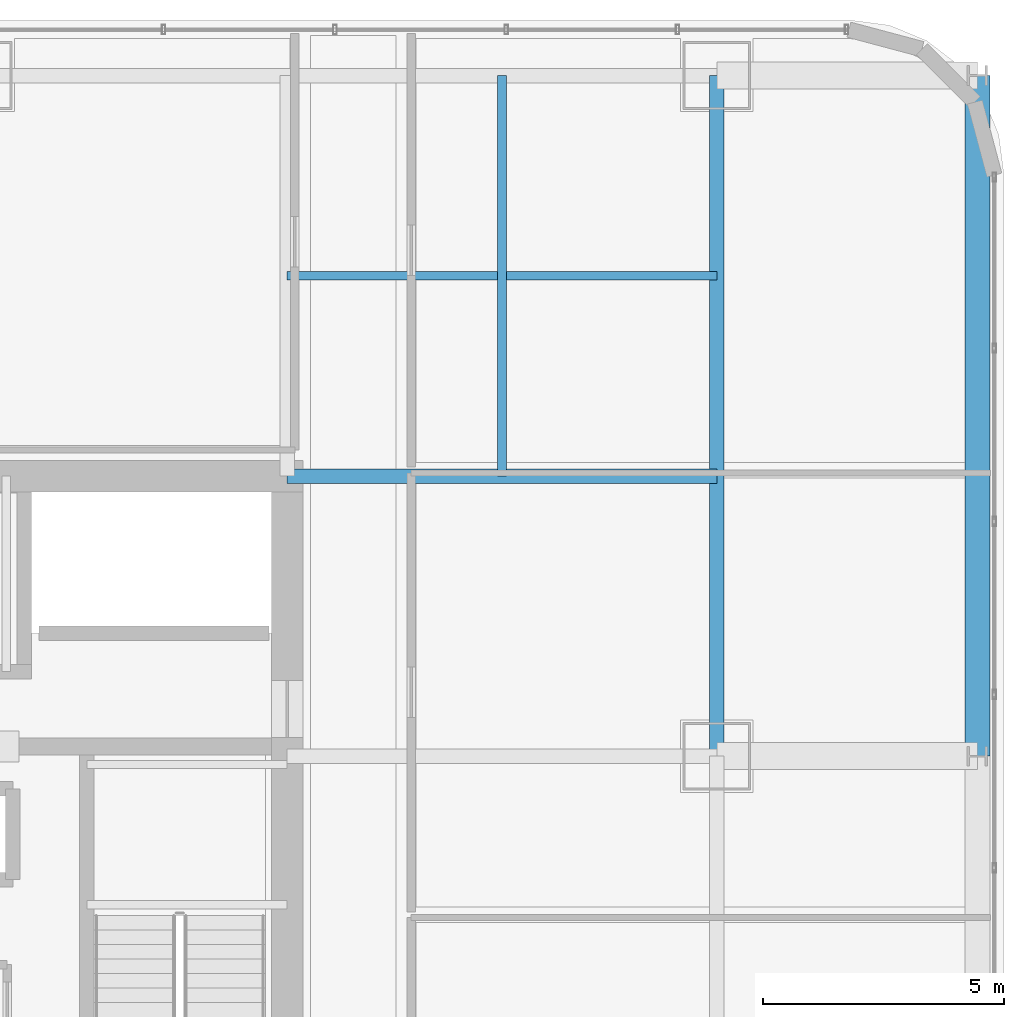
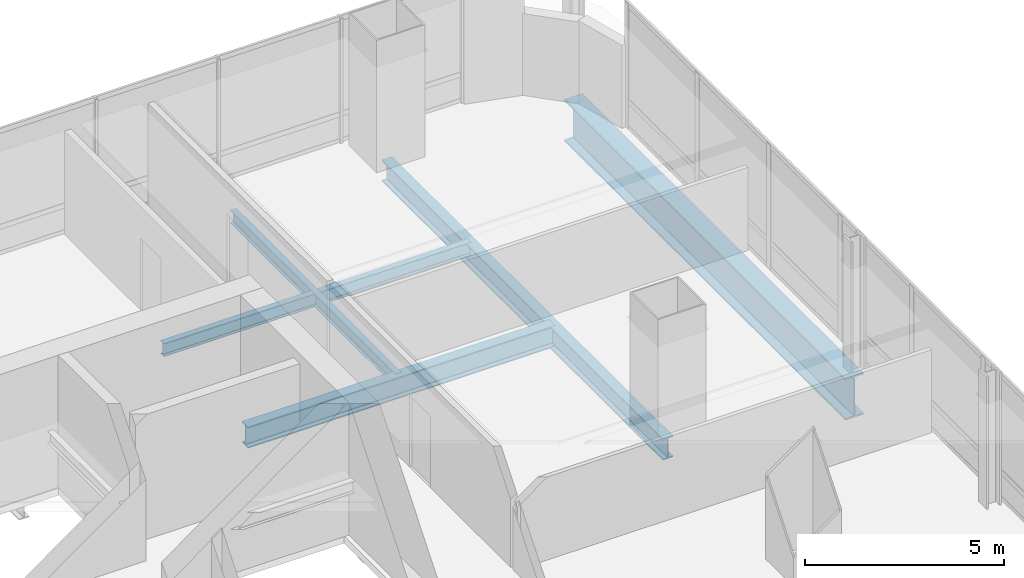
# One storey, part 26 of 36: 5 beams.
"""IFC4 building model written with IfcOpenShell, lengths in metres."""

import ifcopenshell
import ifcopenshell.guid

model = None  # the IFC model being written
_history = None  # IfcOwnerHistory: only IFC2X3 demands one
_inside = {}  # id of a spatial element -> (the spatial element, [elements in it])
_under = {}  # id of a project, library or spatial element -> (it, [spatial elements below it])
_declared = {}  # id of a project -> (the project, [libraries it declares])
_typed = {}  # id of a type object -> (the type object, [elements of that type])
_made_of = {}  # id of a material, layer set ... -> (it, [elements and type objects made of it])


def new_model(schema):
    """Start an empty IFC model of exactly this schema.

    Asked for "IFC4X3", IfcOpenShell would pick the latest addendum, in which some entities
    have other attributes; the version numbers below select the first issue.
    IFC2X3 requires an IfcOwnerHistory on every rooted entity: one is made here for all.
    """
    global model, _history
    if schema == "IFC4X3":
        model = ifcopenshell.file(schema_version=(4, 3, 0, 0))
    else:
        model = ifcopenshell.file(schema=schema)
    _inside.clear()
    _under.clear()
    _declared.clear()
    _typed.clear()
    _made_of.clear()
    _history = None
    if model.schema == "IFC2X3":
        org = make("IfcOrganization", Name="unknown")
        user = make(
            "IfcPersonAndOrganization",
            ThePerson=make("IfcPerson", FamilyName="unknown"),
            TheOrganization=org,
        )
        app = make(
            "IfcApplication",
            ApplicationDeveloper=org,
            Version="unknown",
            ApplicationFullName="unknown",
            ApplicationIdentifier="unknown",
        )
        _history = make(
            "IfcOwnerHistory",
            OwningUser=user,
            OwningApplication=app,
            ChangeAction="ADDED",
            CreationDate=0,
        )
    return model


def make(cls, **values):
    """One entity of the class cls with the attributes given. An attribute that is None is left unset."""
    return model.create_entity(
        cls, **{name: value for name, value in values.items() if value is not None}
    )


def rooted(cls, **values):
    """An entity with a GlobalId (a new one), such as an element, a storey or a relation."""
    return make(cls, GlobalId=ifcopenshell.guid.new(), OwnerHistory=_history, **values)


def si_unit(unit_type, name, prefix=None):
    """IfcSIUnit, for example si_unit("LENGTHUNIT", "METRE", prefix="MILLI")."""
    return make("IfcSIUnit", UnitType=unit_type, Prefix=prefix, Name=name)


def assignment(units):
    """IfcUnitAssignment: the units of a project."""
    return None if units is None else make("IfcUnitAssignment", Units=units)


def point(xyz):
    """IfcCartesianPoint."""
    return None if xyz is None else make("IfcCartesianPoint", Coordinates=xyz)


def direction(xyz):
    """IfcDirection."""
    return None if xyz is None else make("IfcDirection", DirectionRatios=xyz)


def frame(location, z_axis=None, x_axis=None):
    """IfcAxis2Placement3D, a coordinate frame: its origin and axes. An axis left out is left unset."""
    return make(
        "IfcAxis2Placement3D",
        Location=point(location),
        Axis=direction(z_axis),
        RefDirection=direction(x_axis),
    )


def frame_2d(location, x_axis=None):
    """IfcAxis2Placement2D, a coordinate frame in the plane: its origin and x axis."""
    return make(
        "IfcAxis2Placement2D", Location=point(location), RefDirection=direction(x_axis)
    )


def origin():
    """The frame at (0, 0, 0) with its axes left unset."""
    return frame((0.0, 0.0, 0.0))


def origin_2d():
    """The frame at (0, 0) in the plane with its x axis left unset."""
    return frame_2d((0.0, 0.0))


def place(relative_to, where):
    """IfcLocalPlacement: puts the frame where relative to a parent placement (None: the world)."""
    return make(
        "IfcLocalPlacement", PlacementRelTo=relative_to, RelativePlacement=where
    )


def context(
    kind, dimensions, precision=None, world=None, true_north=None, identifier=None
):
    """IfcGeometricRepresentationContext, for example the 3D "Model" context."""
    return make(
        "IfcGeometricRepresentationContext",
        ContextIdentifier=identifier,
        ContextType=kind,
        CoordinateSpaceDimension=dimensions,
        Precision=precision,
        WorldCoordinateSystem=world,
        TrueNorth=true_north,
    )


def subcontext(parent, identifier, kind, view, scale=None):
    """IfcGeometricRepresentationSubContext, for example "Body" below "Model"."""
    return make(
        "IfcGeometricRepresentationSubContext",
        ContextIdentifier=identifier,
        ContextType=kind,
        ParentContext=parent,
        TargetScale=scale,
        TargetView=view,
    )


def project(units=None, contexts=None):
    """IfcProject with its units and contexts."""
    return rooted(
        "IfcProject",
        Name="project",
        RepresentationContexts=contexts,
        UnitsInContext=assignment(units),
    )


def spatial(cls, under=None, at=None, **own):
    """A site, building, storey or space (cls), placed at a placement, below another one or the project."""
    s = rooted(cls, ObjectPlacement=at, **own)
    if under is not None:
        _under.setdefault(under.id(), (under, []))[1].append(s)
    return s


def profile(cls, at=None, kind="AREA", **sizes):
    """A parametric profile (cls). Its sizes go by their IFC names, for example OverallWidth=200.0."""
    return make(cls, ProfileType=kind, Position=at, **sizes)


def i_section(**sizes):
    """IfcIShapeProfileDef."""
    return profile("IfcIShapeProfileDef", **sizes)


def extrude(swept, where, along, depth):
    """IfcExtrudedAreaSolid: the profile swept, set in the frame where, extruded along a direction by depth."""
    return make(
        "IfcExtrudedAreaSolid",
        SweptArea=swept,
        Position=where,
        ExtrudedDirection=direction(along),
        Depth=depth,
    )


def shape(context_of_items, identifier, shape_type, items):
    """IfcShapeRepresentation: the items that make up one representation, for example the "Body"."""
    return make(
        "IfcShapeRepresentation",
        ContextOfItems=context_of_items,
        RepresentationIdentifier=identifier,
        RepresentationType=shape_type,
        Items=items,
    )


def material(Name=None, Category=None):
    """IfcMaterial."""
    return make("IfcMaterial", Name=Name, Category=Category)


def material_profile(
    of_material, cross_section, Name=None, Category=None, Priority=None
):
    """IfcMaterialProfile: a cross section and its material."""
    return make(
        "IfcMaterialProfile",
        Name=Name,
        Material=of_material,
        Profile=cross_section,
        Priority=Priority,
        Category=Category,
    )


def profile_set(profiles, Name=None, composite=None):
    """IfcMaterialProfileSet."""
    return make(
        "IfcMaterialProfileSet",
        Name=Name,
        MaterialProfiles=profiles,
        CompositeProfile=composite,
    )


def made_of(thing, what):
    """Note that an element or type object is made of a material, layer set ...; save() writes the relation."""
    if what is not None:
        _made_of.setdefault(what.id(), (what, []))[1].append(thing)
    return thing


def type_object(cls, material=None, **own):
    """A type object (cls), such as IfcWallType, which elements share."""
    return made_of(rooted(cls, **own), material)


def element(
    cls,
    number,
    at=None,
    inside=None,
    cuts=None,
    type_object=None,
    material=None,
    context=None,
    identifier="Body",
    shape_type=None,
    held_by="IfcProductDefinitionShape",
    body=None,
    shapes=None,
    **own,
):
    """One element of the class cls, such as IfcWall. Its Tag is "e" and its number.

    at: its placement. inside: the storey or other place that contains it. cuts: it is an
    opening in that element (IfcRelVoidsElement). A single representation is given by context,
    identifier, shape_type and body (its items); several are given by shapes. held_by: the class
    of the entity that holds the representations. save() writes the other relations.
    """
    e = rooted(cls, Tag="e%d" % number, ObjectPlacement=at, **own)
    if body is not None:
        shapes = [shape(context, identifier, shape_type, body)]
    if shapes is not None:
        e.Representation = make(held_by, Representations=shapes)
    if inside is not None:
        _inside.setdefault(inside.id(), (inside, []))[1].append(e)
    if cuts is not None:
        rooted(
            "IfcRelVoidsElement", RelatingBuildingElement=cuts, RelatedOpeningElement=e
        )
    if type_object is not None:
        _typed.setdefault(type_object.id(), (type_object, []))[1].append(e)
    return made_of(e, material)


def aggregate(whole, parts):
    """IfcRelAggregates: a whole, such as a stair, and the parts it consists of."""
    return rooted("IfcRelAggregates", RelatingObject=whole, RelatedObjects=parts)


def save(model, path):
    """Write the relations noted so far, then the file.

    IfcRelAggregates (storeys below a building ...), IfcRelContainedInSpatialStructure (elements
    in a storey), IfcRelDefinesByType, IfcRelAssociatesMaterial and IfcRelDeclares: one each for
    every whole, place, type object, material and project.
    """
    for whole, parts in _under.values():
        aggregate(whole, parts)
    for where, things in _inside.values():
        rooted(
            "IfcRelContainedInSpatialStructure",
            RelatedElements=things,
            RelatingStructure=where,
        )
    for kind, things in _typed.values():
        rooted("IfcRelDefinesByType", RelatedObjects=things, RelatingType=kind)
    for what, things in _made_of.values():
        rooted("IfcRelAssociatesMaterial", RelatedObjects=things, RelatingMaterial=what)
    for by, libraries in _declared.values():
        rooted("IfcRelDeclares", RelatingContext=by, RelatedDefinitions=libraries)
    model.write(path)


model = new_model("IFC4")

# Units and contexts
model_context = context("Model", 3, precision=1e-05, world=origin(), true_north=direction((0.0, 1.0)))
body_context = subcontext(model_context, "Body", "Model", "MODEL_VIEW")
ifc_project = project(units=[si_unit("LENGTHUNIT", "METRE"), si_unit("AREAUNIT", "SQUARE_METRE"), si_unit("VOLUMEUNIT", "CUBIC_METRE"), si_unit("PLANEANGLEUNIT", "RADIAN"), si_unit("MASSUNIT", "GRAM", prefix="KILO")], contexts=[model_context])

# Site, building, storey
site_placement = place(None, origin())
site = spatial("IfcSite", under=ifc_project, at=site_placement, CompositionType="ELEMENT")
building_placement = place(site_placement, origin())
building = spatial("IfcBuilding", under=site, at=building_placement, Name="Punatoya Terracotta Tower", CompositionType="ELEMENT")
storey_placement = place(building_placement, frame((0.0, 0.0, 228.89990234375)))
storey = spatial("IfcBuildingStorey", under=building, at=storey_placement, Name="L54", CompositionType="ELEMENT", Elevation=228.89990234375)

# Beams
ifc_material_1 = material(Name="Steel S355", Category="steel")
ifc_material_profile_1 = material_profile(ifc_material_1, i_section(OverallWidth=0.300048828125, OverallDepth=0.64990234375, WebThickness=0.01611328125, FlangeThickness=0.031005859375, FilletRadius=0.01806640625, at=origin_2d()))
ifc_profile_set_1 = profile_set([ifc_material_profile_1], Name="Steel S355")
beam_type_1 = type_object("IfcBeamType", Name="BM-PRI-650", PredefinedType="BEAM", material=ifc_profile_set_1)
beam_1_placement = place(storey_placement, frame((19.10009765625, 3.39990234375, -0.544921875), z_axis=(0.0, 1.0, 0.0), x_axis=(-1.0, 0.0, 0.0)))
element("IfcBeam", 1, at=beam_1_placement, inside=storey, type_object=beam_type_1, Name="BM-L54-RG-E3", PredefinedType="BEAM", context=body_context, shape_type="SweptSolid", body=[
    extrude(i_section(OverallWidth=0.300048828125, OverallDepth=0.64990234375, WebThickness=0.01611328125, FlangeThickness=0.031005859375, FilletRadius=0.01806640625, at=origin_2d()), origin(), (0.0, 0.0, 1.0), 14.10009765625),
])
beam_2_placement = place(storey_placement, frame((10.199951171875, 9.199951171875, -0.544921875), z_axis=(1.0, 0.0, 0.0), x_axis=(0.0, 1.0, 0.0)))
element("IfcBeam", 2, at=beam_2_placement, inside=storey, type_object=beam_type_1, Name="BM-L54-PR-EN", PredefinedType="BEAM", context=body_context, shape_type="SweptSolid", body=[
    extrude(i_section(OverallWidth=0.300048828125, OverallDepth=0.64990234375, WebThickness=0.01611328125, FlangeThickness=0.031005859375, FilletRadius=0.01806640625, at=origin_2d()), origin(), (0.0, 0.0, 1.0), 8.900146484375),
])
ifc_material_profile_2 = material_profile(ifc_material_1, i_section(OverallWidth=0.179931640625, OverallDepth=0.39990234375, WebThickness=0.008544921875, FlangeThickness=0.013427734375, FilletRadius=0.01806640625, at=origin_2d()))
ifc_profile_set_2 = profile_set([ifc_material_profile_2], Name="Steel S355")
beam_type_2 = type_object("IfcBeamType", Name="BM-SEC-400", PredefinedType="JOIST", material=ifc_profile_set_2)
beam_3_placement = place(storey_placement, frame((10.199951171875, 13.35009765625, -0.419921875), z_axis=(1.0, 0.0, 0.0), x_axis=(0.0, 1.0, 0.0)))
element("IfcBeam", 3, at=beam_3_placement, inside=storey, type_object=beam_type_2, Name="BM-L54-SJN-2", PredefinedType="JOIST", context=body_context, shape_type="SweptSolid", body=[
    extrude(i_section(OverallWidth=0.179931640625, OverallDepth=0.39990234375, WebThickness=0.008544921875, FlangeThickness=0.013427734375, FilletRadius=0.01806640625, at=origin_2d()), origin(), (0.0, 0.0, 1.0), 8.900146484375),
])
beam_4_placement = place(storey_placement, frame((14.64990234375, 9.199951171875, -0.419921875), z_axis=(0.0, 1.0, 0.0), x_axis=(-1.0, 0.0, 0.0)))
element("IfcBeam", 4, at=beam_4_placement, inside=storey, type_object=beam_type_2, Name="BM-L54-SJE-2", PredefinedType="JOIST", context=body_context, shape_type="SweptSolid", body=[
    extrude(i_section(OverallWidth=0.179931640625, OverallDepth=0.39990234375, WebThickness=0.008544921875, FlangeThickness=0.013427734375, FilletRadius=0.01806640625, at=origin_2d()), origin(), (0.0, 0.0, 1.0), 8.300048828125),
])
ifc_material_2 = material(Name="Steel S460", Category="steel")
ifc_material_profile_3 = material_profile(ifc_material_2, i_section(OverallWidth=0.52001953125, OverallDepth=1.280029296875, WebThickness=0.031982421875, FlangeThickness=0.050048828125, FilletRadius=0.01806640625, at=origin_2d()))
ifc_profile_set_3 = profile_set([ifc_material_profile_3], Name="Steel S460")
beam_type_3 = type_object("IfcBeamType", Name="BM-TG-NCK", PredefinedType="BEAM", material=ifc_profile_set_3)
beam_5_placement = place(storey_placement, frame((24.5, 3.39990234375, -0.85986328125), z_axis=(0.0, 1.0, 0.0), x_axis=(-1.0, 0.0, 0.0)))
element("IfcBeam", 5, at=beam_5_placement, inside=storey, type_object=beam_type_3, Name="BM-L54-PER-E2", PredefinedType="BEAM", context=body_context, shape_type="SweptSolid", body=[
    extrude(i_section(OverallWidth=0.52001953125, OverallDepth=1.280029296875, WebThickness=0.031982421875, FlangeThickness=0.050048828125, FilletRadius=0.01806640625, at=origin_2d()), origin(), (0.0, 0.0, 1.0), 14.10009765625),
])

save(model, "model.ifc")
